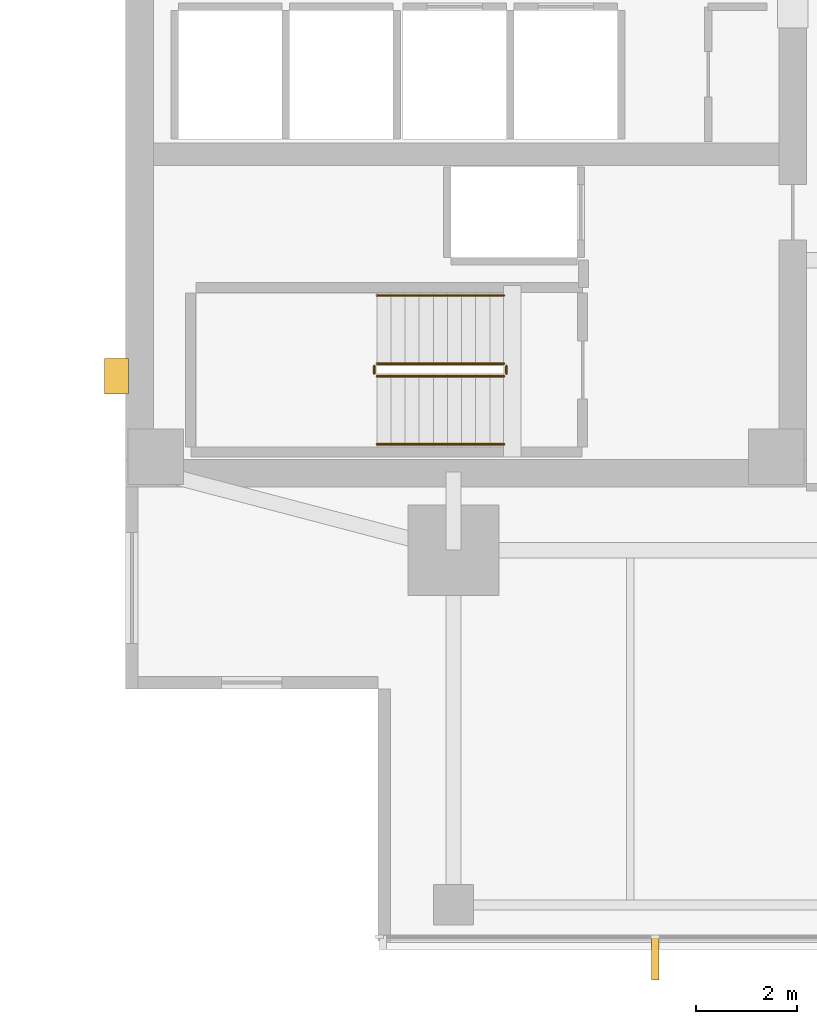
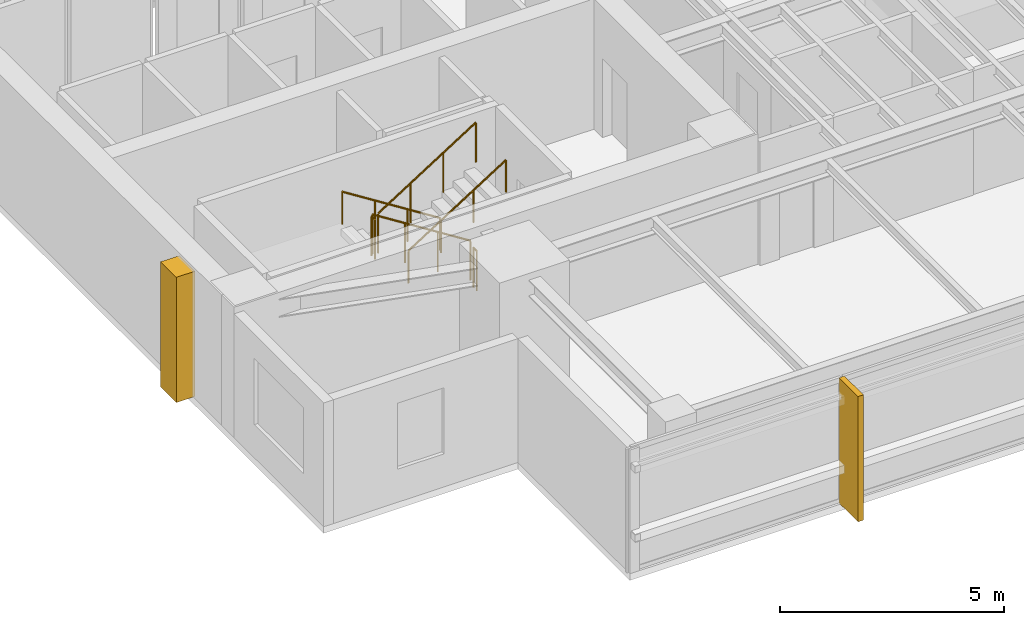
# One storey, part 11 of 14: 6 railings, 2 coverings.
"""IFC4 building model written with IfcOpenShell, lengths in metres."""

from ifc_helpers import new_model, si_unit, direction, frame, origin, origin_2d, place, context, subcontext, project, spatial, polyline, circle, outline, extrude, material, layer, layer_set, type_object, element, save


model = new_model("IFC4")

# Units and contexts
model_context = context("Model", 3, precision=1e-05, world=origin(), true_north=direction((0.0, 1.0)))
body_context = subcontext(model_context, "Body", "Model", "MODEL_VIEW")
ifc_project = project(units=[si_unit("LENGTHUNIT", "METRE"), si_unit("AREAUNIT", "SQUARE_METRE"), si_unit("VOLUMEUNIT", "CUBIC_METRE"), si_unit("PLANEANGLEUNIT", "RADIAN"), si_unit("MASSUNIT", "GRAM", prefix="KILO")], contexts=[model_context])

# Site, building, storey
site_placement = place(None, origin())
site = spatial("IfcSite", under=ifc_project, at=site_placement, CompositionType="ELEMENT")
building_placement = place(site_placement, origin())
building = spatial("IfcBuilding", under=site, at=building_placement, Name="Kinhvarn Gate Tower", CompositionType="ELEMENT")
storey_placement = place(building_placement, frame((0.0, 0.0, 188.050048828125)))
storey = spatial("IfcBuildingStorey", under=building, at=storey_placement, Name="L49", CompositionType="ELEMENT", Elevation=188.050048828125)

# Coverings
ifc_material_1 = material(Name="Fired architectural terracotta", Category="masonry")
ifc_layer_1 = layer(ifc_material_1, 0.139892578125)
ifc_layer_set_1 = layer_set([ifc_layer_1], Name="Fired architectural terracotta")
covering_type_1 = type_object("IfcCoveringType", Name="COV-FIN-850", PredefinedType="CLADDING", material=ifc_layer_set_1)
covering_1_placement = place(storey_placement, frame((0.0, 0.0, -0.02001953125)))
element("IfcCovering", 1, at=covering_1_placement, inside=storey, type_object=covering_type_1, Name="Vertical Terracotta Expressive Fin TFN-850 (L49)", PredefinedType="CLADDING", context=body_context, shape_type="SweptSolid", body=[
    extrude(outline(polyline([(14.929931640625, 5.080078125), (15.070068359375, 5.080078125), (15.070068359375, 4.22998046875), (14.929931640625, 4.22998046875), (14.929931640625, 5.080078125)])), origin(), (0.0, 0.0, 1.0), 3.409912109375),
])
ifc_material_2 = material(Name="Precast white architectural concrete C40/50", Category="concrete")
ifc_layer_2 = layer(ifc_material_2, 0.47998046875)
ifc_layer_set_2 = layer_set([ifc_layer_2], Name="Precast white architectural concrete C40/50")
covering_type_2 = type_object("IfcCoveringType", Name="COV-RIB-450", PredefinedType="CLADDING", material=ifc_layer_set_2)
covering_2_placement = place(storey_placement, frame((0.0, 0.0, -0.02001953125)))
element("IfcCovering", 2, at=covering_2_placement, inside=storey, type_object=covering_type_2, Name="West Core Sculptural Concrete Relief Rib CRB-450 (L49)", PredefinedType="CLADDING", context=body_context, shape_type="SweptSolid", body=[
    extrude(outline(polyline([(4.080078125, 15.85009765625), (4.56005859375, 15.85009765625), (4.56005859375, 16.550048828125), (4.080078125, 16.550048828125), (4.080078125, 15.85009765625)])), origin(), (0.0, 0.0, 1.0), 3.409912109375),
])

# Railings
ifc_material_3 = material(Name="Steel S355", Category="steel")
railing_type_1 = type_object("IfcRailingType", Name="RL-ST-GRD", PredefinedType="BALUSTRADE", material=ifc_material_3)
railing_1_placement = place(storey_placement, frame((12.0, 16.449951171875, 0.177490234375)))
element("IfcRailing", 3, at=railing_1_placement, inside=storey, type_object=railing_type_1, Name="L49 ST1 stair guard 1", PredefinedType="BALUSTRADE", context=body_context, shape_type="SweptSolid", body=[
    extrude(circle(Radius=0.02392578125, at=origin_2d()), frame((0.0, 0.0, 1.076171875), z_axis=(-0.84460694969, 0.0, 0.535386869969), x_axis=(0.0, -1.0, 0.0)), (0.0, 0.0, 1.0), 2.983642578125),
    extrude(circle(Radius=0.02099609375, at=origin_2d()), origin(), (0.0, 0.0, 1.0), 1.052001953125),
    extrude(circle(Radius=0.02099609375, at=origin_2d()), frame((-0.840087890625, 0.0, 0.532470703125)), (0.0, 0.0, 1.0), 1.052001953125),
    extrude(circle(Radius=0.02099609375, at=origin_2d()), frame((-1.679931640625, 0.0, 1.06494140625)), (0.0, 0.0, 1.0), 1.052001953125),
    extrude(circle(Radius=0.02099609375, at=origin_2d()), frame((-2.52001953125, 0.0, 1.597412109375)), (0.0, 0.0, 1.0), 1.052001953125),
])
railing_2_placement = place(storey_placement, frame((9.429931640625, 16.39990234375, 1.77490234375)))
element("IfcRailing", 4, at=railing_2_placement, inside=storey, type_object=railing_type_1, Name="L49 ST1 stair guard 2", PredefinedType="BALUSTRADE", context=body_context, shape_type="SweptSolid", body=[
    extrude(circle(Radius=0.02392578125, at=origin_2d()), frame((0.0, 0.0, 1.076171875), z_axis=(0.0, -1.0, 0.0), x_axis=(1.0, 0.0, 0.0)), (0.0, 0.0, 1.0), 0.14990234375),
    extrude(circle(Radius=0.02099609375, at=origin_2d()), origin(), (0.0, 0.0, 1.0), 1.052001953125),
    extrude(circle(Radius=0.02099609375, at=origin_2d()), frame((0.0, -0.14990234375, 0.0)), (0.0, 0.0, 1.0), 1.052001953125),
])
railing_3_placement = place(storey_placement, frame((9.47998046875, 16.199951171875, 1.952392578125)))
element("IfcRailing", 5, at=railing_3_placement, inside=storey, type_object=railing_type_1, Name="L49 ST1 stair guard 3", PredefinedType="BALUSTRADE", context=body_context, shape_type="SweptSolid", body=[
    extrude(circle(Radius=0.02392578125, at=origin_2d()), frame((0.0, 0.0, 1.076171875), z_axis=(0.84456994832, 0.0, 0.535445237532), x_axis=(0.0, 1.0, 0.0)), (0.0, 0.0, 1.0), 2.98388671875),
    extrude(circle(Radius=0.02099609375, at=origin_2d()), origin(), (0.0, 0.0, 1.0), 1.052001953125),
    extrude(circle(Radius=0.02099609375, at=origin_2d()), frame((0.840087890625, 0.0, 0.532470703125)), (0.0, 0.0, 1.0), 1.052001953125),
    extrude(circle(Radius=0.02099609375, at=origin_2d()), frame((1.679931640625, 0.0, 1.065185546875)), (0.0, 0.0, 1.0), 1.052001953125),
    extrude(circle(Radius=0.02099609375, at=origin_2d()), frame((2.52001953125, 0.0, 1.59765625)), (0.0, 0.0, 1.0), 1.052001953125),
])
railing_4_placement = place(storey_placement, frame((12.050048828125, 16.39990234375, 0.0)))
element("IfcRailing", 6, at=railing_4_placement, inside=storey, type_object=railing_type_1, Name="L49 ST1 stair guard 4", PredefinedType="BALUSTRADE", context=body_context, shape_type="SweptSolid", body=[
    extrude(circle(Radius=0.02392578125, at=origin_2d()), frame((0.0, 0.0, 1.076171875), z_axis=(0.0, -1.0, 0.0), x_axis=(1.0, 0.0, 0.0)), (0.0, 0.0, 1.0), 0.14990234375),
    extrude(circle(Radius=0.02099609375, at=origin_2d()), origin(), (0.0, 0.0, 1.0), 1.052001953125),
    extrude(circle(Radius=0.02099609375, at=origin_2d()), frame((0.0, -0.14990234375, 0.0)), (0.0, 0.0, 1.0), 1.052001953125),
])
railing_type_2 = type_object("IfcRailingType", Name="RL-ST-HND", PredefinedType="HANDRAIL", material=ifc_material_3)
railing_5_placement = place(storey_placement, frame((12.0, 17.800048828125, 0.177490234375)))
element("IfcRailing", 7, at=railing_5_placement, inside=storey, type_object=railing_type_2, Name="L49 ST1 stair handrail 1", PredefinedType="HANDRAIL", context=body_context, shape_type="SweptSolid", body=[
    extrude(circle(Radius=0.02392578125, at=origin_2d()), frame((0.0, 0.0, 0.8759765625), z_axis=(-0.84460694969, 0.0, 0.535386869969), x_axis=(0.0, -1.0, 0.0)), (0.0, 0.0, 1.0), 2.983642578125),
    extrude(circle(Radius=0.02099609375, at=origin_2d()), origin(), (0.0, 0.0, 1.0), 0.851806640625),
    extrude(circle(Radius=0.02099609375, at=origin_2d()), frame((-0.840087890625, 0.0, 0.532470703125)), (0.0, 0.0, 1.0), 0.851806640625),
    extrude(circle(Radius=0.02099609375, at=origin_2d()), frame((-1.679931640625, 0.0, 1.06494140625)), (0.0, 0.0, 1.0), 0.851806640625),
    extrude(circle(Radius=0.02099609375, at=origin_2d()), frame((-2.52001953125, 0.0, 1.597412109375)), (0.0, 0.0, 1.0), 0.851806640625),
])
railing_6_placement = place(storey_placement, frame((9.47998046875, 14.85009765625, 1.952392578125)))
element("IfcRailing", 8, at=railing_6_placement, inside=storey, type_object=railing_type_2, Name="L49 ST1 stair handrail 2", PredefinedType="HANDRAIL", context=body_context, shape_type="SweptSolid", body=[
    extrude(circle(Radius=0.02392578125, at=origin_2d()), frame((0.0, 0.0, 0.8759765625), z_axis=(0.84456994832, 0.0, 0.535445237532), x_axis=(0.0, 1.0, 0.0)), (0.0, 0.0, 1.0), 2.98388671875),
    extrude(circle(Radius=0.02099609375, at=origin_2d()), origin(), (0.0, 0.0, 1.0), 0.851806640625),
    extrude(circle(Radius=0.02099609375, at=origin_2d()), frame((0.840087890625, 0.0, 0.532470703125)), (0.0, 0.0, 1.0), 0.851806640625),
    extrude(circle(Radius=0.02099609375, at=origin_2d()), frame((1.679931640625, 0.0, 1.065185546875)), (0.0, 0.0, 1.0), 0.851806640625),
    extrude(circle(Radius=0.02099609375, at=origin_2d()), frame((2.52001953125, 0.0, 1.59765625)), (0.0, 0.0, 1.0), 0.851806640625),
])

save(model, "model.ifc")
